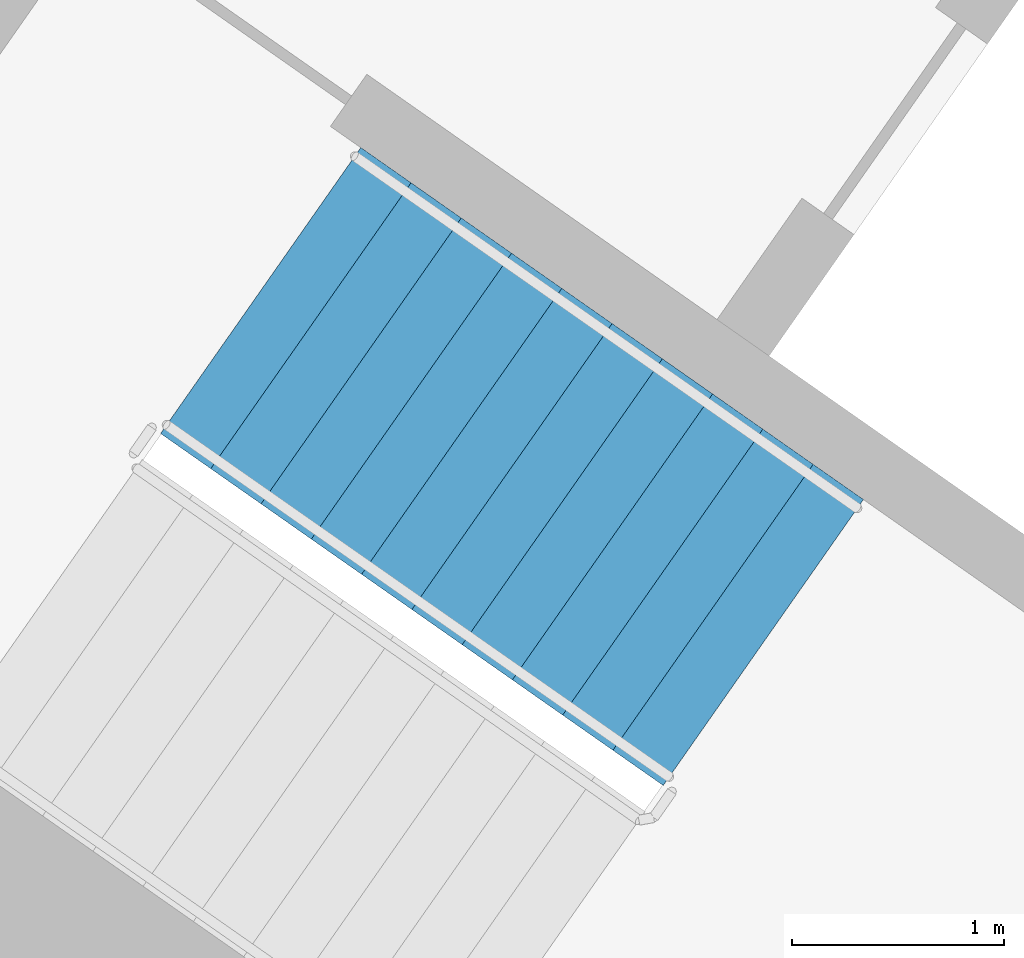
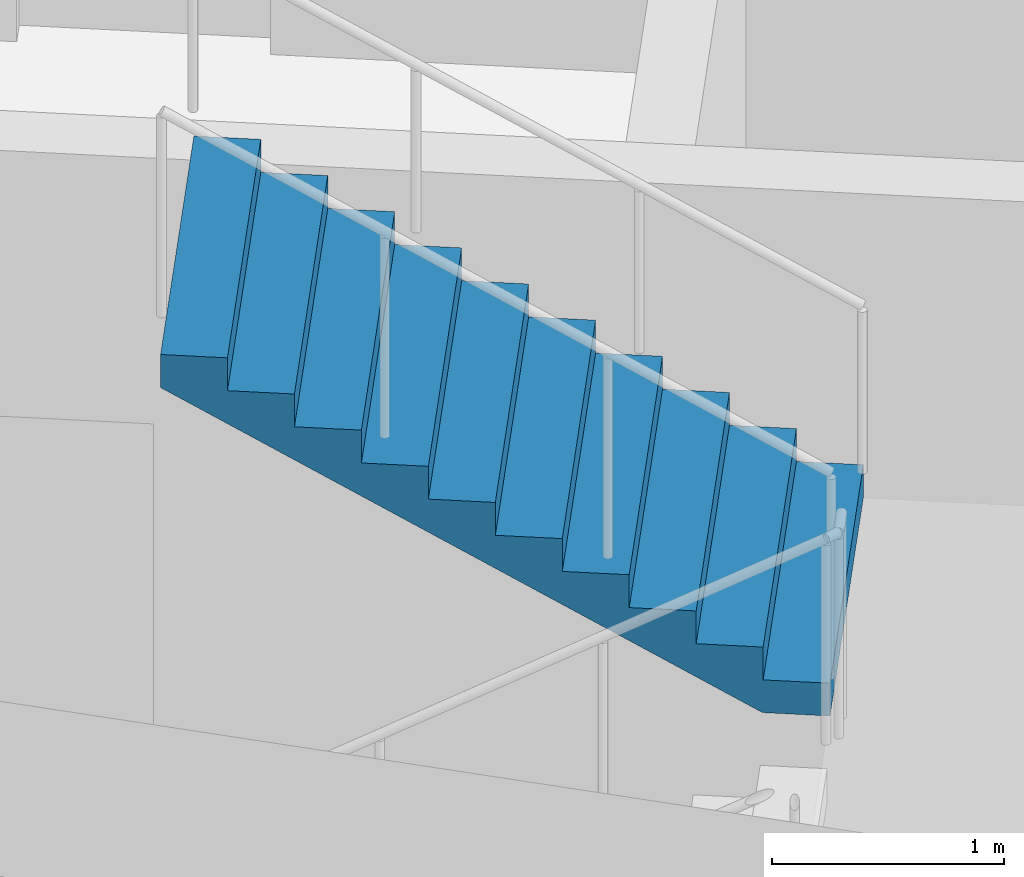
# One storey, part 11 of 31: 1 stair flight, 1 element without a shape of its own.
"""IFC4 building model written with IfcOpenShell, lengths in metres."""

from ifc_helpers import new_model, si_unit, direction, frame, origin, place, context, subcontext, project, spatial, faceted_brep, material, type_object, element, aggregate, save


model = new_model("IFC4")

# Units and contexts
model_context = context("Model", 3, precision=1e-05, world=origin(), true_north=direction((0.0, 1.0)))
body_context = subcontext(model_context, "Body", "Model", "MODEL_VIEW")
ifc_project = project(units=[si_unit("LENGTHUNIT", "METRE"), si_unit("AREAUNIT", "SQUARE_METRE"), si_unit("VOLUMEUNIT", "CUBIC_METRE"), si_unit("PLANEANGLEUNIT", "RADIAN"), si_unit("MASSUNIT", "GRAM", prefix="KILO")], contexts=[model_context])

# Site, building, storey
site_placement = place(None, origin())
site = spatial("IfcSite", under=ifc_project, at=site_placement, CompositionType="ELEMENT")
building_placement = place(site_placement, origin())
building = spatial("IfcBuilding", under=site, at=building_placement, Name="Qamariyya Broadcast Tower", CompositionType="ELEMENT")
storey_placement = place(building_placement, frame((0.0, 0.0, 82.300048828125)))
storey = spatial("IfcBuildingStorey", under=building, at=storey_placement, Name="L17", CompositionType="ELEMENT", Elevation=82.300048828125)

# Stair, stair flight
ifc_material = material(Name="Concrete C50/60", Category="concrete")
stair_type = type_object("IfcStairType", Name="Exit stair 22 risers of 173 mm", PredefinedType="HALF_TURN_STAIR", material=ifc_material)
stair_placement = place(storey_placement, origin())
stair = element("IfcStair", 1, at=stair_placement, inside=storey, type_object=stair_type, Name="L17 Stair W1", PredefinedType="HALF_TURN_STAIR")
stair_flight_type = type_object("IfcStairFlightType", Name="Exit stair flight 11 risers of 173 mm", PredefinedType="STRAIGHT", material=ifc_material)
stair_flight_placement = place(storey_placement, frame((-43.660888671875, -57.17138671875, 1.89990234375), z_axis=(0.0, 0.0, 1.0), x_axis=(-0.819152044289, 0.573576436351, 0.0)))
stair_flight = element("IfcStairFlight", 2, at=stair_flight_placement, type_object=stair_flight_type, Name="ST-W1 flight 2", NumberOfRisers=11, NumberOfTreads=10, PredefinedType="STRAIGHT", RiserHeight=0.172727273, TreadLength=0.29, context=body_context, shape_type="Brep", body=[
    faceted_brep([(0.0, 0.824951171875, 0.0), (0.0, 0.824951171875, 0.172607421875), (0.2900390625, 0.824951171875, 0.172607421875), (0.2900390625, 0.824951171875, 0.345458984375), (0.580078125, 0.824951171875, 0.345458984375), (0.580078125, 0.824951171875, 0.51806640625), (0.8701171875, 0.824951171875, 0.51806640625), (0.8701171875, 0.824951171875, 0.69091796875), (1.159912109375, 0.824951171875, 0.69091796875), (1.159912109375, 0.824951171875, 0.863525390625), (1.449951171875, 0.824951171875, 0.863525390625), (1.449951171875, 0.824951171875, 1.036376953125), (1.739990234375, 0.824951171875, 1.036376953125), (1.739990234375, 0.824951171875, 1.208984375), (2.030029296875, 0.824951171875, 1.208984375), (2.030029296875, 0.824951171875, 1.3818359375), (2.320068359375, 0.824951171875, 1.3818359375), (2.320068359375, 0.824951171875, 1.554443359375), (2.610107421875, 0.824951171875, 1.554443359375), (2.610107421875, 0.824951171875, 1.727294921875), (2.89990234375, 0.824951171875, 1.727294921875), (2.89990234375, 0.824951171875, 1.552734375), (0.29296875, 0.824951171875, 0.0), (0.29296875, -0.824951171875, 0.0), (2.89990234375, -0.824951171875, 1.552734375), (2.89990234375, -0.824951171875, 1.727294921875), (2.610107421875, -0.824951171875, 1.727294921875), (2.610107421875, -0.824951171875, 1.554443359375), (2.320068359375, -0.824951171875, 1.554443359375), (2.320068359375, -0.824951171875, 1.3818359375), (2.030029296875, -0.824951171875, 1.3818359375), (2.030029296875, -0.824951171875, 1.208984375), (1.739990234375, -0.824951171875, 1.208984375), (1.739990234375, -0.824951171875, 1.036376953125), (1.449951171875, -0.824951171875, 1.036376953125), (1.449951171875, -0.824951171875, 0.863525390625), (1.159912109375, -0.824951171875, 0.863525390625), (1.159912109375, -0.824951171875, 0.69091796875), (0.8701171875, -0.824951171875, 0.69091796875), (0.8701171875, -0.824951171875, 0.51806640625), (0.580078125, -0.824951171875, 0.51806640625), (0.580078125, -0.824951171875, 0.345458984375), (0.2900390625, -0.824951171875, 0.345458984375), (0.2900390625, -0.824951171875, 0.172607421875), (0.0, -0.824951171875, 0.172607421875), (0.0, -0.824951171875, 0.0), (0.0, 0.10009765625, 0.0), (0.0, 0.086669921875, 0.0), (0.0, 0.0732421875, 0.0), (0.0, 0.06005859375, 0.0), (0.0, 0.046630859375, 0.0), (0.0, 0.033447265625, 0.0), (0.0, 0.02001953125, 0.0), (0.0, 0.006591796875, 0.0), (0.0, -0.006591796875, 0.0), (0.0, -0.02001953125, 0.0), (0.0, -0.033447265625, 0.0), (0.0, -0.046630859375, 0.0), (0.0, -0.06005859375, 0.0), (0.0, -0.0732421875, 0.0), (0.0, -0.086669921875, 0.0), (0.0, -0.10009765625, 0.0), (0.0, -0.10009765625, 0.172607421875), (0.0, -0.086669921875, 0.172607421875), (0.0, -0.0732421875, 0.172607421875), (0.0, -0.06005859375, 0.172607421875), (0.0, -0.046630859375, 0.172607421875), (0.0, -0.033447265625, 0.172607421875), (0.0, -0.02001953125, 0.172607421875), (0.0, -0.006591796875, 0.172607421875), (0.0, 0.006591796875, 0.172607421875), (0.0, 0.02001953125, 0.172607421875), (0.0, 0.033447265625, 0.172607421875), (0.0, 0.046630859375, 0.172607421875), (0.0, 0.06005859375, 0.172607421875), (0.0, 0.0732421875, 0.172607421875), (0.0, 0.086669921875, 0.172607421875), (0.0, 0.10009765625, 0.172607421875), (0.2900390625, -0.10009765625, 0.172607421875), (0.2900390625, -0.086669921875, 0.172607421875), (0.2900390625, -0.0732421875, 0.172607421875), (0.2900390625, -0.06005859375, 0.172607421875), (0.2900390625, -0.046630859375, 0.172607421875), (0.2900390625, -0.033447265625, 0.172607421875), (0.2900390625, -0.02001953125, 0.172607421875), (0.2900390625, -0.006591796875, 0.172607421875), (0.2900390625, 0.006591796875, 0.172607421875), (0.2900390625, 0.02001953125, 0.172607421875), (0.2900390625, 0.033447265625, 0.172607421875), (0.2900390625, 0.046630859375, 0.172607421875), (0.2900390625, 0.06005859375, 0.172607421875), (0.2900390625, 0.0732421875, 0.172607421875), (0.2900390625, 0.086669921875, 0.172607421875), (0.2900390625, 0.10009765625, 0.172607421875), (0.2900390625, -0.10009765625, 0.345458984375), (0.2900390625, -0.086669921875, 0.345458984375), (0.2900390625, -0.0732421875, 0.345458984375), (0.2900390625, -0.06005859375, 0.345458984375), (0.2900390625, -0.046630859375, 0.345458984375), (0.2900390625, -0.033447265625, 0.345458984375), (0.2900390625, -0.02001953125, 0.345458984375), (0.2900390625, -0.006591796875, 0.345458984375), (0.2900390625, 0.006591796875, 0.345458984375), (0.2900390625, 0.02001953125, 0.345458984375), (0.2900390625, 0.033447265625, 0.345458984375), (0.2900390625, 0.046630859375, 0.345458984375), (0.2900390625, 0.06005859375, 0.345458984375), (0.2900390625, 0.0732421875, 0.345458984375), (0.2900390625, 0.086669921875, 0.345458984375), (0.2900390625, 0.10009765625, 0.345458984375), (0.580078125, -0.10009765625, 0.345458984375), (0.580078125, -0.086669921875, 0.345458984375), (0.580078125, -0.0732421875, 0.345458984375), (0.580078125, -0.06005859375, 0.345458984375), (0.580078125, -0.046630859375, 0.345458984375), (0.580078125, -0.033447265625, 0.345458984375), (0.580078125, -0.02001953125, 0.345458984375), (0.580078125, -0.006591796875, 0.345458984375), (0.580078125, 0.006591796875, 0.345458984375), (0.580078125, 0.02001953125, 0.345458984375), (0.580078125, 0.033447265625, 0.345458984375), (0.580078125, 0.046630859375, 0.345458984375), (0.580078125, 0.06005859375, 0.345458984375), (0.580078125, 0.0732421875, 0.345458984375), (0.580078125, 0.086669921875, 0.345458984375), (0.580078125, 0.10009765625, 0.345458984375), (0.580078125, -0.10009765625, 0.51806640625), (0.580078125, -0.086669921875, 0.51806640625), (0.580078125, -0.0732421875, 0.51806640625), (0.580078125, -0.06005859375, 0.51806640625), (0.580078125, -0.046630859375, 0.51806640625), (0.580078125, -0.033447265625, 0.51806640625), (0.580078125, -0.02001953125, 0.51806640625), (0.580078125, -0.006591796875, 0.51806640625), (0.580078125, 0.006591796875, 0.51806640625), (0.580078125, 0.02001953125, 0.51806640625), (0.580078125, 0.033447265625, 0.51806640625), (0.580078125, 0.046630859375, 0.51806640625), (0.580078125, 0.06005859375, 0.51806640625), (0.580078125, 0.0732421875, 0.51806640625), (0.580078125, 0.086669921875, 0.51806640625), (0.580078125, 0.10009765625, 0.51806640625), (0.8701171875, -0.10009765625, 0.51806640625), (0.8701171875, -0.086669921875, 0.51806640625), (0.8701171875, -0.0732421875, 0.51806640625), (0.8701171875, -0.06005859375, 0.51806640625), (0.8701171875, -0.046630859375, 0.51806640625), (0.8701171875, -0.033447265625, 0.51806640625), (0.8701171875, -0.02001953125, 0.51806640625), (0.8701171875, -0.006591796875, 0.51806640625), (0.8701171875, 0.006591796875, 0.51806640625), (0.8701171875, 0.02001953125, 0.51806640625), (0.8701171875, 0.033447265625, 0.51806640625), (0.8701171875, 0.046630859375, 0.51806640625), (0.8701171875, 0.06005859375, 0.51806640625), (0.8701171875, 0.0732421875, 0.51806640625), (0.8701171875, 0.086669921875, 0.51806640625), (0.8701171875, 0.10009765625, 0.51806640625), (0.8701171875, -0.10009765625, 0.69091796875), (0.8701171875, -0.086669921875, 0.69091796875), (0.8701171875, -0.0732421875, 0.69091796875), (0.8701171875, -0.06005859375, 0.69091796875), (0.8701171875, -0.046630859375, 0.69091796875), (0.8701171875, -0.033447265625, 0.69091796875), (0.8701171875, -0.02001953125, 0.69091796875), (0.8701171875, -0.006591796875, 0.69091796875), (0.8701171875, 0.006591796875, 0.69091796875), (0.8701171875, 0.02001953125, 0.69091796875), (0.8701171875, 0.033447265625, 0.69091796875), (0.8701171875, 0.046630859375, 0.69091796875), (0.8701171875, 0.06005859375, 0.69091796875), (0.8701171875, 0.0732421875, 0.69091796875), (0.8701171875, 0.086669921875, 0.69091796875), (0.8701171875, 0.10009765625, 0.69091796875), (1.159912109375, -0.10009765625, 0.69091796875), (1.159912109375, -0.086669921875, 0.69091796875), (1.159912109375, -0.0732421875, 0.69091796875), (1.159912109375, -0.06005859375, 0.69091796875), (1.159912109375, -0.046630859375, 0.69091796875), (1.159912109375, -0.033447265625, 0.69091796875), (1.159912109375, -0.02001953125, 0.69091796875), (1.159912109375, -0.006591796875, 0.69091796875), (1.159912109375, 0.006591796875, 0.69091796875), (1.159912109375, 0.02001953125, 0.69091796875), (1.159912109375, 0.033447265625, 0.69091796875), (1.159912109375, 0.046630859375, 0.69091796875), (1.159912109375, 0.06005859375, 0.69091796875), (1.159912109375, 0.0732421875, 0.69091796875), (1.159912109375, 0.086669921875, 0.69091796875), (1.159912109375, 0.10009765625, 0.69091796875), (1.159912109375, -0.10009765625, 0.863525390625), (1.159912109375, -0.086669921875, 0.863525390625), (1.159912109375, -0.0732421875, 0.863525390625), (1.159912109375, -0.06005859375, 0.863525390625), (1.159912109375, -0.046630859375, 0.863525390625), (1.159912109375, -0.033447265625, 0.863525390625), (1.159912109375, -0.02001953125, 0.863525390625), (1.159912109375, -0.006591796875, 0.863525390625), (1.159912109375, 0.006591796875, 0.863525390625), (1.159912109375, 0.02001953125, 0.863525390625), (1.159912109375, 0.033447265625, 0.863525390625), (1.159912109375, 0.046630859375, 0.863525390625), (1.159912109375, 0.06005859375, 0.863525390625), (1.159912109375, 0.0732421875, 0.863525390625), (1.159912109375, 0.086669921875, 0.863525390625), (1.159912109375, 0.10009765625, 0.863525390625), (1.449951171875, -0.10009765625, 0.863525390625), (1.449951171875, -0.086669921875, 0.863525390625), (1.449951171875, -0.0732421875, 0.863525390625), (1.449951171875, -0.06005859375, 0.863525390625), (1.449951171875, -0.046630859375, 0.863525390625), (1.449951171875, -0.033447265625, 0.863525390625), (1.449951171875, -0.02001953125, 0.863525390625), (1.449951171875, -0.006591796875, 0.863525390625), (1.449951171875, 0.006591796875, 0.863525390625), (1.449951171875, 0.02001953125, 0.863525390625), (1.449951171875, 0.033447265625, 0.863525390625), (1.449951171875, 0.046630859375, 0.863525390625), (1.449951171875, 0.06005859375, 0.863525390625), (1.449951171875, 0.0732421875, 0.863525390625), (1.449951171875, 0.086669921875, 0.863525390625), (1.449951171875, 0.10009765625, 0.863525390625), (1.449951171875, -0.10009765625, 1.036376953125), (1.449951171875, -0.086669921875, 1.036376953125), (1.449951171875, -0.0732421875, 1.036376953125), (1.449951171875, -0.06005859375, 1.036376953125), (1.449951171875, -0.046630859375, 1.036376953125), (1.449951171875, -0.033447265625, 1.036376953125), (1.449951171875, -0.02001953125, 1.036376953125), (1.449951171875, -0.006591796875, 1.036376953125), (1.449951171875, 0.006591796875, 1.036376953125), (1.449951171875, 0.02001953125, 1.036376953125), (1.449951171875, 0.033447265625, 1.036376953125), (1.449951171875, 0.046630859375, 1.036376953125), (1.449951171875, 0.06005859375, 1.036376953125), (1.449951171875, 0.0732421875, 1.036376953125), (1.449951171875, 0.086669921875, 1.036376953125), (1.449951171875, 0.10009765625, 1.036376953125), (1.739990234375, -0.10009765625, 1.036376953125), (1.739990234375, -0.086669921875, 1.036376953125), (1.739990234375, -0.0732421875, 1.036376953125), (1.739990234375, -0.06005859375, 1.036376953125), (1.739990234375, -0.046630859375, 1.036376953125), (1.739990234375, -0.033447265625, 1.036376953125), (1.739990234375, -0.02001953125, 1.036376953125), (1.739990234375, -0.006591796875, 1.036376953125), (1.739990234375, 0.006591796875, 1.036376953125), (1.739990234375, 0.02001953125, 1.036376953125), (1.739990234375, 0.033447265625, 1.036376953125), (1.739990234375, 0.046630859375, 1.036376953125), (1.739990234375, 0.06005859375, 1.036376953125), (1.739990234375, 0.0732421875, 1.036376953125), (1.739990234375, 0.086669921875, 1.036376953125), (1.739990234375, 0.10009765625, 1.036376953125), (1.739990234375, -0.10009765625, 1.208984375), (1.739990234375, -0.086669921875, 1.208984375), (1.739990234375, -0.0732421875, 1.208984375), (1.739990234375, -0.06005859375, 1.208984375), (1.739990234375, -0.046630859375, 1.208984375), (1.739990234375, -0.033447265625, 1.208984375), (1.739990234375, -0.02001953125, 1.208984375), (1.739990234375, -0.006591796875, 1.208984375), (1.739990234375, 0.006591796875, 1.208984375), (1.739990234375, 0.02001953125, 1.208984375), (1.739990234375, 0.033447265625, 1.208984375), (1.739990234375, 0.046630859375, 1.208984375), (1.739990234375, 0.06005859375, 1.208984375), (1.739990234375, 0.0732421875, 1.208984375), (1.739990234375, 0.086669921875, 1.208984375), (1.739990234375, 0.10009765625, 1.208984375), (2.030029296875, -0.10009765625, 1.208984375), (2.030029296875, -0.086669921875, 1.208984375), (2.030029296875, -0.0732421875, 1.208984375), (2.030029296875, -0.06005859375, 1.208984375), (2.030029296875, -0.046630859375, 1.208984375), (2.030029296875, -0.033447265625, 1.208984375), (2.030029296875, -0.02001953125, 1.208984375), (2.030029296875, -0.006591796875, 1.208984375), (2.030029296875, 0.006591796875, 1.208984375), (2.030029296875, 0.02001953125, 1.208984375), (2.030029296875, 0.033447265625, 1.208984375), (2.030029296875, 0.046630859375, 1.208984375), (2.030029296875, 0.06005859375, 1.208984375), (2.030029296875, 0.0732421875, 1.208984375), (2.030029296875, 0.086669921875, 1.208984375), (2.030029296875, 0.10009765625, 1.208984375), (2.030029296875, -0.10009765625, 1.3818359375), (2.030029296875, -0.086669921875, 1.3818359375), (2.030029296875, -0.0732421875, 1.3818359375), (2.030029296875, -0.06005859375, 1.3818359375), (2.030029296875, -0.046630859375, 1.3818359375), (2.030029296875, -0.033447265625, 1.3818359375), (2.030029296875, -0.02001953125, 1.3818359375), (2.030029296875, -0.006591796875, 1.3818359375), (2.030029296875, 0.006591796875, 1.3818359375), (2.030029296875, 0.02001953125, 1.3818359375), (2.030029296875, 0.033447265625, 1.3818359375), (2.030029296875, 0.046630859375, 1.3818359375), (2.030029296875, 0.06005859375, 1.3818359375), (2.030029296875, 0.0732421875, 1.3818359375), (2.030029296875, 0.086669921875, 1.3818359375), (2.030029296875, 0.10009765625, 1.3818359375), (2.320068359375, -0.10009765625, 1.3818359375), (2.320068359375, -0.086669921875, 1.3818359375), (2.320068359375, -0.0732421875, 1.3818359375), (2.320068359375, -0.06005859375, 1.3818359375), (2.320068359375, -0.046630859375, 1.3818359375), (2.320068359375, -0.033447265625, 1.3818359375), (2.320068359375, -0.02001953125, 1.3818359375), (2.320068359375, -0.006591796875, 1.3818359375), (2.320068359375, 0.006591796875, 1.3818359375), (2.320068359375, 0.02001953125, 1.3818359375), (2.320068359375, 0.033447265625, 1.3818359375), (2.320068359375, 0.046630859375, 1.3818359375), (2.320068359375, 0.06005859375, 1.3818359375), (2.320068359375, 0.0732421875, 1.3818359375), (2.320068359375, 0.086669921875, 1.3818359375), (2.320068359375, 0.10009765625, 1.3818359375), (2.320068359375, -0.10009765625, 1.554443359375), (2.320068359375, -0.086669921875, 1.554443359375), (2.320068359375, -0.0732421875, 1.554443359375), (2.320068359375, -0.06005859375, 1.554443359375), (2.320068359375, -0.046630859375, 1.554443359375), (2.320068359375, -0.033447265625, 1.554443359375), (2.320068359375, -0.02001953125, 1.554443359375), (2.320068359375, -0.006591796875, 1.554443359375), (2.320068359375, 0.006591796875, 1.554443359375), (2.320068359375, 0.02001953125, 1.554443359375), (2.320068359375, 0.033447265625, 1.554443359375), (2.320068359375, 0.046630859375, 1.554443359375), (2.320068359375, 0.06005859375, 1.554443359375), (2.320068359375, 0.0732421875, 1.554443359375), (2.320068359375, 0.086669921875, 1.554443359375), (2.320068359375, 0.10009765625, 1.554443359375), (2.610107421875, -0.10009765625, 1.554443359375), (2.610107421875, -0.086669921875, 1.554443359375), (2.610107421875, -0.0732421875, 1.554443359375), (2.610107421875, -0.06005859375, 1.554443359375), (2.610107421875, -0.046630859375, 1.554443359375), (2.610107421875, -0.033447265625, 1.554443359375), (2.610107421875, -0.02001953125, 1.554443359375), (2.610107421875, -0.006591796875, 1.554443359375), (2.610107421875, 0.006591796875, 1.554443359375), (2.610107421875, 0.02001953125, 1.554443359375), (2.610107421875, 0.033447265625, 1.554443359375), (2.610107421875, 0.046630859375, 1.554443359375), (2.610107421875, 0.06005859375, 1.554443359375), (2.610107421875, 0.0732421875, 1.554443359375), (2.610107421875, 0.086669921875, 1.554443359375), (2.610107421875, 0.10009765625, 1.554443359375), (2.610107421875, -0.10009765625, 1.727294921875), (2.610107421875, -0.086669921875, 1.727294921875), (2.610107421875, -0.0732421875, 1.727294921875), (2.610107421875, -0.06005859375, 1.727294921875), (2.610107421875, -0.046630859375, 1.727294921875), (2.610107421875, -0.033447265625, 1.727294921875), (2.610107421875, -0.02001953125, 1.727294921875), (2.610107421875, -0.006591796875, 1.727294921875), (2.610107421875, 0.006591796875, 1.727294921875), (2.610107421875, 0.02001953125, 1.727294921875), (2.610107421875, 0.033447265625, 1.727294921875), (2.610107421875, 0.046630859375, 1.727294921875), (2.610107421875, 0.06005859375, 1.727294921875), (2.610107421875, 0.0732421875, 1.727294921875), (2.610107421875, 0.086669921875, 1.727294921875), (2.610107421875, 0.10009765625, 1.727294921875), (2.89990234375, -0.10009765625, 1.727294921875), (2.89990234375, -0.086669921875, 1.727294921875), (2.89990234375, -0.0732421875, 1.727294921875), (2.89990234375, -0.06005859375, 1.727294921875), (2.89990234375, -0.046630859375, 1.727294921875), (2.89990234375, -0.033447265625, 1.727294921875), (2.89990234375, -0.02001953125, 1.727294921875), (2.89990234375, -0.006591796875, 1.727294921875), (2.89990234375, 0.006591796875, 1.727294921875), (2.89990234375, 0.02001953125, 1.727294921875), (2.89990234375, 0.033447265625, 1.727294921875), (2.89990234375, 0.046630859375, 1.727294921875), (2.89990234375, 0.06005859375, 1.727294921875), (2.89990234375, 0.0732421875, 1.727294921875), (2.89990234375, 0.086669921875, 1.727294921875), (2.89990234375, 0.10009765625, 1.727294921875), (2.89990234375, -0.10009765625, 1.552734375), (2.89990234375, -0.086669921875, 1.552734375), (2.89990234375, -0.0732421875, 1.552734375), (2.89990234375, -0.06005859375, 1.552734375), (2.89990234375, -0.046630859375, 1.552734375), (2.89990234375, -0.033447265625, 1.552734375), (2.89990234375, -0.02001953125, 1.552734375), (2.89990234375, -0.006591796875, 1.552734375), (2.89990234375, 0.006591796875, 1.552734375), (2.89990234375, 0.02001953125, 1.552734375), (2.89990234375, 0.033447265625, 1.552734375), (2.89990234375, 0.046630859375, 1.552734375), (2.89990234375, 0.06005859375, 1.552734375), (2.89990234375, 0.0732421875, 1.552734375), (2.89990234375, 0.086669921875, 1.552734375), (2.89990234375, 0.10009765625, 1.552734375), (0.29296875, -0.10009765625, 0.0), (0.29296875, -0.086669921875, 0.0), (0.29296875, -0.0732421875, 0.0), (0.29296875, -0.06005859375, 0.0), (0.29296875, -0.046630859375, 0.0), (0.29296875, -0.033447265625, 0.0), (0.29296875, -0.02001953125, 0.0), (0.29296875, -0.006591796875, 0.0), (0.29296875, 0.006591796875, 0.0), (0.29296875, 0.02001953125, 0.0), (0.29296875, 0.033447265625, 0.0), (0.29296875, 0.046630859375, 0.0), (0.29296875, 0.06005859375, 0.0), (0.29296875, 0.0732421875, 0.0), (0.29296875, 0.086669921875, 0.0), (0.29296875, 0.10009765625, 0.0)], [[[0, 1, 2, 3, 4, 5, 6, 7, 8, 9, 10, 11, 12, 13, 14, 15, 16, 17, 18, 19, 20, 21, 22]], [[23, 24, 25, 26, 27, 28, 29, 30, 31, 32, 33, 34, 35, 36, 37, 38, 39, 40, 41, 42, 43, 44, 45]], [[0, 46, 47, 48, 49, 50, 51, 52, 53, 54, 55, 56, 57, 58, 59, 60, 61, 45, 44, 62, 63, 64, 65, 66, 67, 68, 69, 70, 71, 72, 73, 74, 75, 76, 77, 1]], [[1, 77, 76, 75, 74, 73, 72, 71, 70, 69, 68, 67, 66, 65, 64, 63, 62, 44, 43, 78, 79, 80, 81, 82, 83, 84, 85, 86, 87, 88, 89, 90, 91, 92, 93, 2]], [[2, 93, 92, 91, 90, 89, 88, 87, 86, 85, 84, 83, 82, 81, 80, 79, 78, 43, 42, 94, 95, 96, 97, 98, 99, 100, 101, 102, 103, 104, 105, 106, 107, 108, 109, 3]], [[3, 109, 108, 107, 106, 105, 104, 103, 102, 101, 100, 99, 98, 97, 96, 95, 94, 42, 41, 110, 111, 112, 113, 114, 115, 116, 117, 118, 119, 120, 121, 122, 123, 124, 125, 4]], [[4, 125, 124, 123, 122, 121, 120, 119, 118, 117, 116, 115, 114, 113, 112, 111, 110, 41, 40, 126, 127, 128, 129, 130, 131, 132, 133, 134, 135, 136, 137, 138, 139, 140, 141, 5]], [[5, 141, 140, 139, 138, 137, 136, 135, 134, 133, 132, 131, 130, 129, 128, 127, 126, 40, 39, 142, 143, 144, 145, 146, 147, 148, 149, 150, 151, 152, 153, 154, 155, 156, 157, 6]], [[6, 157, 156, 155, 154, 153, 152, 151, 150, 149, 148, 147, 146, 145, 144, 143, 142, 39, 38, 158, 159, 160, 161, 162, 163, 164, 165, 166, 167, 168, 169, 170, 171, 172, 173, 7]], [[7, 173, 172, 171, 170, 169, 168, 167, 166, 165, 164, 163, 162, 161, 160, 159, 158, 38, 37, 174, 175, 176, 177, 178, 179, 180, 181, 182, 183, 184, 185, 186, 187, 188, 189, 8]], [[8, 189, 188, 187, 186, 185, 184, 183, 182, 181, 180, 179, 178, 177, 176, 175, 174, 37, 36, 190, 191, 192, 193, 194, 195, 196, 197, 198, 199, 200, 201, 202, 203, 204, 205, 9]], [[9, 205, 204, 203, 202, 201, 200, 199, 198, 197, 196, 195, 194, 193, 192, 191, 190, 36, 35, 206, 207, 208, 209, 210, 211, 212, 213, 214, 215, 216, 217, 218, 219, 220, 221, 10]], [[10, 221, 220, 219, 218, 217, 216, 215, 214, 213, 212, 211, 210, 209, 208, 207, 206, 35, 34, 222, 223, 224, 225, 226, 227, 228, 229, 230, 231, 232, 233, 234, 235, 236, 237, 11]], [[11, 237, 236, 235, 234, 233, 232, 231, 230, 229, 228, 227, 226, 225, 224, 223, 222, 34, 33, 238, 239, 240, 241, 242, 243, 244, 245, 246, 247, 248, 249, 250, 251, 252, 253, 12]], [[12, 253, 252, 251, 250, 249, 248, 247, 246, 245, 244, 243, 242, 241, 240, 239, 238, 33, 32, 254, 255, 256, 257, 258, 259, 260, 261, 262, 263, 264, 265, 266, 267, 268, 269, 13]], [[13, 269, 268, 267, 266, 265, 264, 263, 262, 261, 260, 259, 258, 257, 256, 255, 254, 32, 31, 270, 271, 272, 273, 274, 275, 276, 277, 278, 279, 280, 281, 282, 283, 284, 285, 14]], [[14, 285, 284, 283, 282, 281, 280, 279, 278, 277, 276, 275, 274, 273, 272, 271, 270, 31, 30, 286, 287, 288, 289, 290, 291, 292, 293, 294, 295, 296, 297, 298, 299, 300, 301, 15]], [[15, 301, 300, 299, 298, 297, 296, 295, 294, 293, 292, 291, 290, 289, 288, 287, 286, 30, 29, 302, 303, 304, 305, 306, 307, 308, 309, 310, 311, 312, 313, 314, 315, 316, 317, 16]], [[16, 317, 316, 315, 314, 313, 312, 311, 310, 309, 308, 307, 306, 305, 304, 303, 302, 29, 28, 318, 319, 320, 321, 322, 323, 324, 325, 326, 327, 328, 329, 330, 331, 332, 333, 17]], [[17, 333, 332, 331, 330, 329, 328, 327, 326, 325, 324, 323, 322, 321, 320, 319, 318, 28, 27, 334, 335, 336, 337, 338, 339, 340, 341, 342, 343, 344, 345, 346, 347, 348, 349, 18]], [[18, 349, 348, 347, 346, 345, 344, 343, 342, 341, 340, 339, 338, 337, 336, 335, 334, 27, 26, 350, 351, 352, 353, 354, 355, 356, 357, 358, 359, 360, 361, 362, 363, 364, 365, 19]], [[19, 365, 364, 363, 362, 361, 360, 359, 358, 357, 356, 355, 354, 353, 352, 351, 350, 26, 25, 366, 367, 368, 369, 370, 371, 372, 373, 374, 375, 376, 377, 378, 379, 380, 381, 20]], [[20, 381, 380, 379, 378, 377, 376, 375, 374, 373, 372, 371, 370, 369, 368, 367, 366, 25, 24, 382, 383, 384, 385, 386, 387, 388, 389, 390, 391, 392, 393, 394, 395, 396, 397, 21]], [[21, 397, 396, 395, 394, 393, 392, 391, 390, 389, 388, 387, 386, 385, 384, 383, 382, 24, 23, 398, 399, 400, 401, 402, 403, 404, 405, 406, 407, 408, 409, 410, 411, 412, 413, 22]], [[22, 413, 412, 411, 410, 409, 408, 407, 406, 405, 404, 403, 402, 401, 400, 399, 398, 23, 45, 61, 60, 59, 58, 57, 56, 55, 54, 53, 52, 51, 50, 49, 48, 47, 46, 0]]]),
])
aggregate(stair, [stair_flight])

save(model, "model.ifc")
